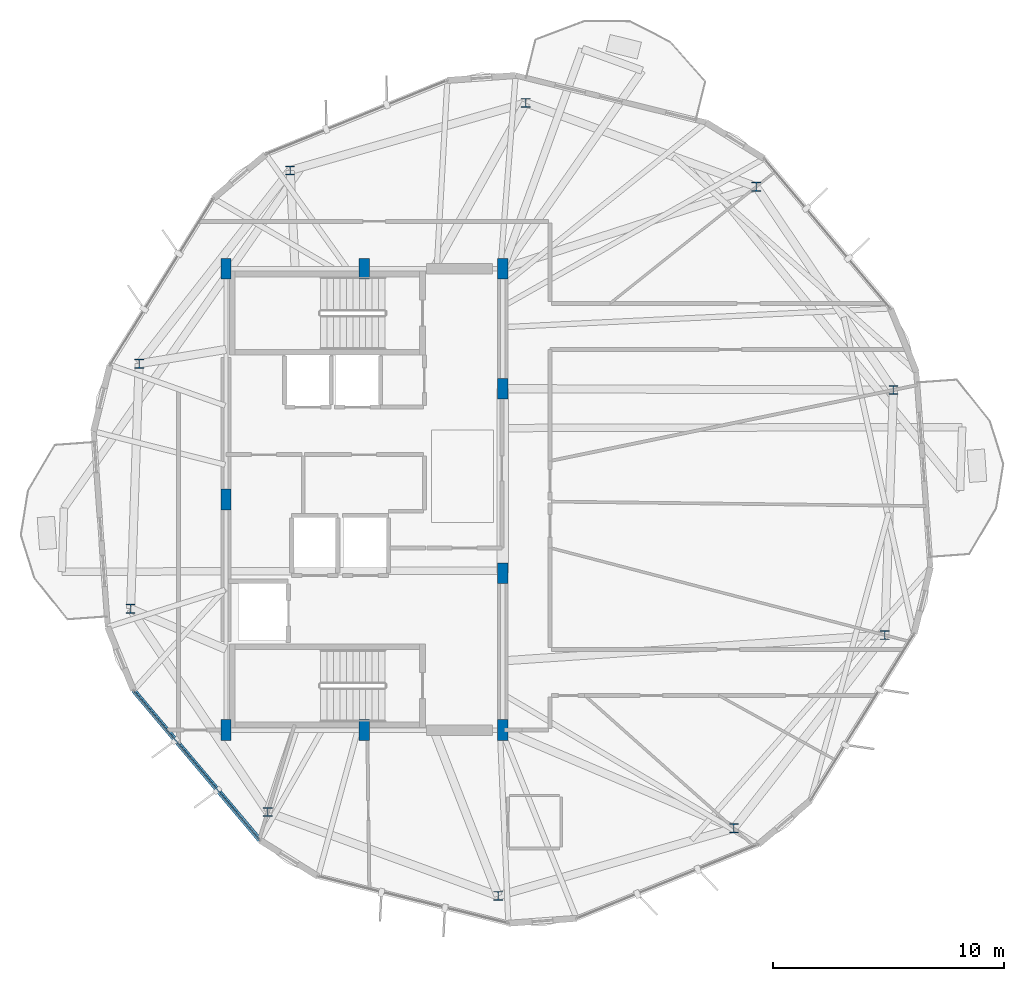
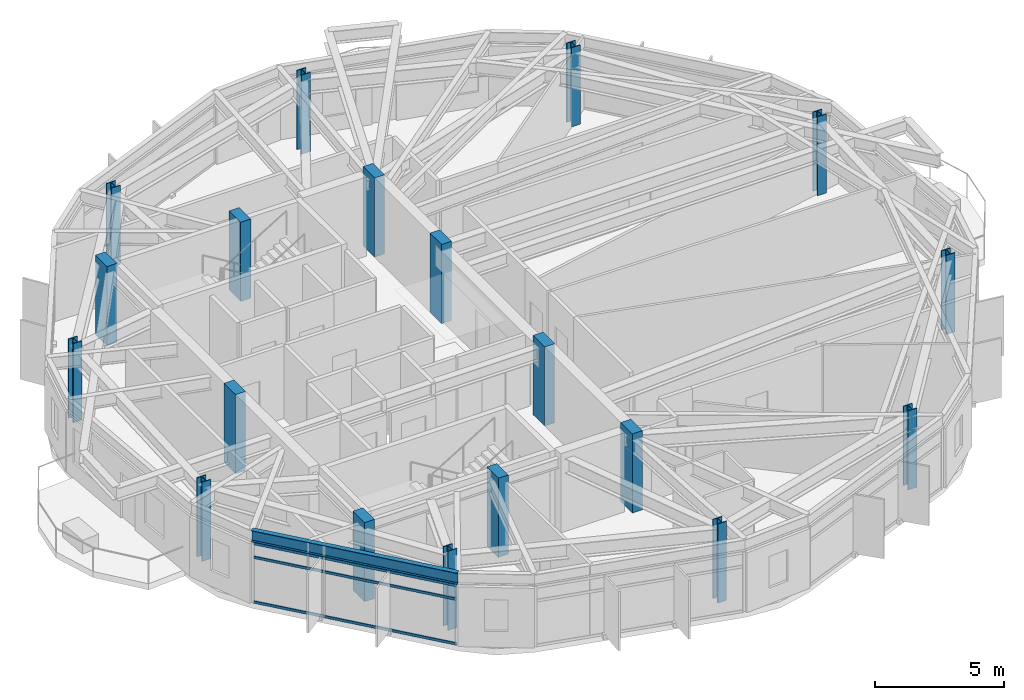
# One storey, part 1 of 26: 19 columns, 3 members, 1 beam, 1 element without a shape of its own.
"""IFC4 building model written with IfcOpenShell, lengths in metres."""

from ifc_helpers import new_model, si_unit, direction, frame, origin, origin_2d, place, context, subcontext, project, spatial, rectangle, hollow_rectangle, i_section, extrude, material, layer, layer_set, material_profile, profile_set, type_object, element, aggregate, save


model = new_model("IFC4")

# Units and contexts
model_context = context("Model", 3, precision=1e-05, world=origin(), true_north=direction((0.0, 1.0)))
body_context = subcontext(model_context, "Body", "Model", "MODEL_VIEW")
ifc_project = project(units=[si_unit("LENGTHUNIT", "METRE"), si_unit("AREAUNIT", "SQUARE_METRE"), si_unit("VOLUMEUNIT", "CUBIC_METRE"), si_unit("PLANEANGLEUNIT", "RADIAN"), si_unit("MASSUNIT", "GRAM", prefix="KILO")], contexts=[model_context])

# Site, building, storey
site_placement = place(None, origin())
site = spatial("IfcSite", under=ifc_project, at=site_placement, CompositionType="ELEMENT")
building_placement = place(site_placement, origin())
building = spatial("IfcBuilding", under=site, at=building_placement, Name="Soratama Intermodal Tower", CompositionType="ELEMENT")
storey_placement = place(building_placement, frame((0.0, 0.0, 246.25)))
storey = spatial("IfcBuildingStorey", under=building, at=storey_placement, Name="L62", CompositionType="ELEMENT", Elevation=246.25)

# Columns
ifc_material_1 = material(Name="Structural steel ASTM A992 Grade 50", Category="steel")
ifc_material_profile_1 = material_profile(ifc_material_1, i_section(OverallWidth=0.40087890625, OverallDepth=0.39892578125, WebThickness=0.02490234375, FlangeThickness=0.03955078125, FilletRadius=0.0380859375, at=origin_2d()), Name="W14X211")
ifc_profile_set_1 = profile_set([ifc_material_profile_1], Name="Structural steel ASTM A992 Grade 50")
column_type_1 = type_object("IfcColumnType", Name="COL-ZE-W14X211", PredefinedType="COLUMN", material=ifc_profile_set_1)
for number, where, z_axis, x_axis, name in (
    (1, (61.53369140625, 29.740966796875, 0.0), (0.0, 0.0, 1.0), (1.0, 0.0, 0.0), "L62 Tower Ring Column R01"),
    (2, (55.58935546875, 38.5537109375, 0.0), (0.0, 0.0, 1.0), (1.0, 0.0, 0.0), "L62 Tower Ring Column R02"),
    (3, (45.600341796875, 42.189453125, 0.0), (0.0, 0.0, 1.0), (1.0, 0.0, 0.0), "L62 Tower Ring Column R03"),
    (4, (35.3818359375, 39.259521484375, 0.0), (0.0, 0.0, 1.0), (1.0, 0.0, 0.0), "L62 Tower Ring Column R04"),
    (5, (28.83740234375, 30.8828125, 0.0), (0.0, 0.0, 1.0), (1.0, 0.0, 0.0), "L62 Tower Ring Column R05"),
    (6, (28.46630859375, 20.259033203125, 0.0), (0.0, 0.0, 1.0), (1.0, 0.0, 0.0), "L62 Tower Ring Column R06"),
    (7, (34.41064453125, 11.4462890625, 0.0), (0.0, 0.0, 1.0), (1.0, 0.0, 0.0), "L62 Tower Ring Column R07"),
    (8, (44.399658203125, 7.810546875, 0.0), (0.0, 0.0, 1.0), (1.0, 0.0, 0.0), "L62 Tower Ring Column R08"),
    (9, (54.6181640625, 10.740478515625, 0.0), (0.0, 0.0, 1.0), (1.0, 0.0, 0.0), "L62 Tower Ring Column R09"),
    (10, (61.16259765625, 19.1171875, 0.0), (0.0, 0.0, 1.0), (1.0, 0.0, 0.0), "L62 Tower Ring Column R10"),
):
    element("IfcColumn", number, at=place(storey_placement, frame(where, z_axis=z_axis, x_axis=x_axis)), inside=storey, type_object=column_type_1, Name=name, PredefinedType="COLUMN", context=body_context, shape_type="SweptSolid", body=[
        extrude(i_section(OverallWidth=0.40087890625, OverallDepth=0.39892578125, WebThickness=0.02490234375, FlangeThickness=0.03955078125, FilletRadius=0.0380859375, at=origin_2d()), origin(), (0.0, 0.0, 1.0), 3.75),
    ])
ifc_material_2 = material(Name="Concrete f'c 56 MPa", Category="concrete")
ifc_material_profile_2 = material_profile(ifc_material_2, rectangle(XDim=0.449951171875, YDim=0.89990234375, at=origin_2d()), Name="RC450X900")
ifc_profile_set_2 = profile_set([ifc_material_profile_2], Name="Concrete f'c 56 MPa")
column_type_2 = type_object("IfcColumnType", Name="PIL-CORE-450X900", PredefinedType="PILASTER", material=ifc_profile_set_2)
for number, where, z_axis, x_axis, name in (
    (11, (32.60009765625, 15.0, 0.0), (0.0, 0.0, 1.0), (1.0, 0.0, 0.0), "L62 Core Pilaster 1"),
    (12, (32.60009765625, 25.0, 0.0), (0.0, 0.0, 1.0), (1.0, 0.0, 0.0), "L62 Core Pilaster 2"),
    (13, (32.60009765625, 35.0, 0.0), (0.0, 0.0, 1.0), (1.0, 0.0, 0.0), "L62 Core Pilaster 3"),
    (14, (38.60009765625, 15.0, 0.0), (0.0, 0.0, 1.0), (1.0, 0.0, 0.0), "L62 Core Pilaster 4"),
    (15, (38.60009765625, 35.0, 0.0), (0.0, 0.0, 1.0), (1.0, 0.0, 0.0), "L62 Core Pilaster 5"),
    (16, (44.60009765625, 15.0, 0.0), (0.0, 0.0, 1.0), (1.0, 0.0, 0.0), "L62 Core Pilaster 6"),
    (17, (44.60009765625, 21.800048828125, 0.0), (0.0, 0.0, 1.0), (1.0, 0.0, 0.0), "L62 Core Pilaster 7"),
    (18, (44.60009765625, 29.800048828125, 0.0), (0.0, 0.0, 1.0), (1.0, 0.0, 0.0), "L62 Core Pilaster 8"),
    (19, (44.60009765625, 35.0, 0.0), (0.0, 0.0, 1.0), (1.0, 0.0, 0.0), "L62 Core Pilaster 9"),
):
    element("IfcColumn", number, at=place(storey_placement, frame(where, z_axis=z_axis, x_axis=x_axis)), inside=storey, type_object=column_type_2, Name=name, PredefinedType="PILASTER", context=body_context, shape_type="SweptSolid", body=[
        extrude(rectangle(XDim=0.449951171875, YDim=0.89990234375, at=origin_2d()), origin(), (0.0, 0.0, 1.0), 3.75),
    ])

# Beam
ifc_material_3 = material(Name="Structural steel ASTM A992 Grade 50", Category="steel")
ifc_material_profile_3 = material_profile(ifc_material_3, i_section(OverallWidth=0.2099609375, OverallDepth=0.537109375, WebThickness=0.010986328125, FlangeThickness=0.017333984375, FilletRadius=0.012939453125, at=origin_2d()), Name="W21X68")
ifc_profile_set_3 = profile_set([ifc_material_profile_3], Name="Structural steel ASTM A992 Grade 50")
beam_type = type_object("IfcBeamType", Name="BM-SPN-W21X68", PredefinedType="SPANDREL", material=ifc_profile_set_3)
beam_placement = place(storey_placement, frame((28.592041015625, 16.722900390625, 3.181396484375), z_axis=(0.644629184282, -0.764495398791, 0.0), x_axis=(0.764495398791, 0.644629184282, 0.0)))
element("IfcBeam", 20, at=beam_placement, inside=storey, type_object=beam_type, Name="BS-L62-F05", PredefinedType="SPANDREL", context=body_context, shape_type="SweptSolid", body=[
    extrude(i_section(OverallWidth=0.2099609375, OverallDepth=0.537109375, WebThickness=0.010986328125, FlangeThickness=0.017333984375, FilletRadius=0.012939453125, at=origin_2d()), origin(), (0.0, 0.0, 1.0), 8.49951171875),
])

# Curtain wall, members
ifc_material_4 = material(Name="Double-glazed aluminium curtain wall", Category="aluminium")
ifc_layer = layer(ifc_material_4, 0.159912109375)
ifc_layer_set = layer_set([ifc_layer], Name="Double-glazed aluminium curtain wall")
curtain_wall_type = type_object("IfcCurtainWallType", Name="CW-SYS-5", PredefinedType="NOTDEFINED", material=ifc_layer_set)
curtain_wall_placement = place(storey_placement, origin())
curtain_wall = element("IfcCurtainWall", 21, at=curtain_wall_placement, inside=storey, type_object=curtain_wall_type, Name="L62 Faceted Curtain Wall F05", PredefinedType="NOTDEFINED")
ifc_material_5 = material(Name="Anodised aluminium AA 6063-T6", Category="aluminium")
ifc_material_profile_4 = material_profile(ifc_material_5, hollow_rectangle(XDim=0.06005859375, YDim=0.1298828125, WallThickness=0.0048828125, InnerFilletRadius=0.0048828125, OuterFilletRadius=0.010009765625, at=origin_2d()), Name="CWT130X60X5")
ifc_profile_set_4 = profile_set([ifc_material_profile_4], Name="Anodised aluminium AA 6063-T6")
member_type = type_object("IfcMemberType", Name="TT-CWT-2", PredefinedType="USERDEFINED", material=ifc_profile_set_4)
member_1_placement = place(storey_placement, frame((28.63037109375, 16.676513671875, 0.030029296875), z_axis=(0.644664030792, -0.76446601455, 0.0), x_axis=(0.76446601455, 0.644664030792, 0.0)))
member_1 = element("IfcMember", 22, at=member_1_placement, type_object=member_type, Name="CW-5 transom 1.1", ObjectType="TRANSOM", PredefinedType="USERDEFINED", context=body_context, shape_type="SweptSolid", body=[
    extrude(hollow_rectangle(XDim=0.06005859375, YDim=0.1298828125, WallThickness=0.0048828125, InnerFilletRadius=0.0048828125, OuterFilletRadius=0.010009765625, at=origin_2d()), origin(), (0.0, 0.0, 1.0), 8.379638671875),
])
member_2_placement = place(storey_placement, frame((28.63037109375, 16.676513671875, 2.14990234375), z_axis=(0.644664030792, -0.76446601455, 0.0), x_axis=(0.76446601455, 0.644664030792, 0.0)))
member_2 = element("IfcMember", 23, at=member_2_placement, type_object=member_type, Name="CW-5 transom 1.2", ObjectType="TRANSOM", PredefinedType="USERDEFINED", context=body_context, shape_type="SweptSolid", body=[
    extrude(hollow_rectangle(XDim=0.06005859375, YDim=0.1298828125, WallThickness=0.0048828125, InnerFilletRadius=0.0048828125, OuterFilletRadius=0.010009765625, at=origin_2d()), origin(), (0.0, 0.0, 1.0), 8.379638671875),
])
member_3_placement = place(storey_placement, frame((28.63037109375, 16.676513671875, 2.799072265625), z_axis=(0.644664030792, -0.76446601455, 0.0), x_axis=(0.76446601455, 0.644664030792, 0.0)))
member_3 = element("IfcMember", 24, at=member_3_placement, type_object=member_type, Name="CW-5 transom 1.3", ObjectType="TRANSOM", PredefinedType="USERDEFINED", context=body_context, shape_type="SweptSolid", body=[
    extrude(hollow_rectangle(XDim=0.06005859375, YDim=0.1298828125, WallThickness=0.0048828125, InnerFilletRadius=0.0048828125, OuterFilletRadius=0.010009765625, at=origin_2d()), origin(), (0.0, 0.0, 1.0), 8.379638671875),
])
aggregate(curtain_wall, [member_1, member_2, member_3])

save(model, "model.ifc")
